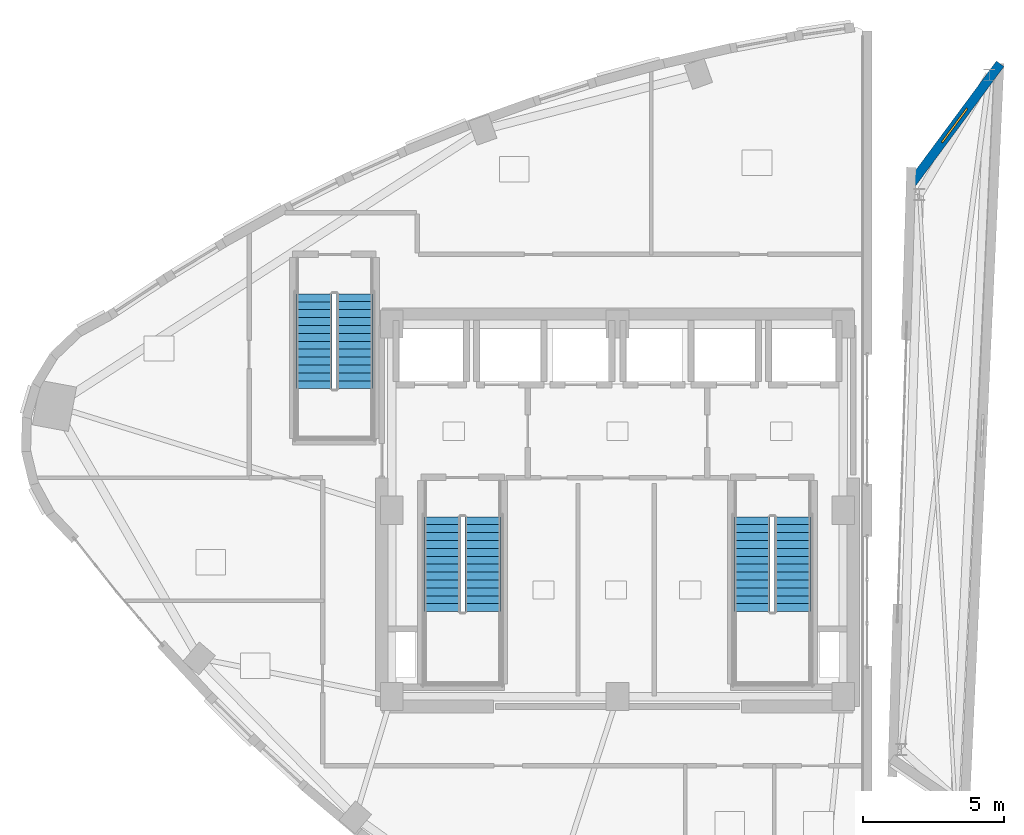
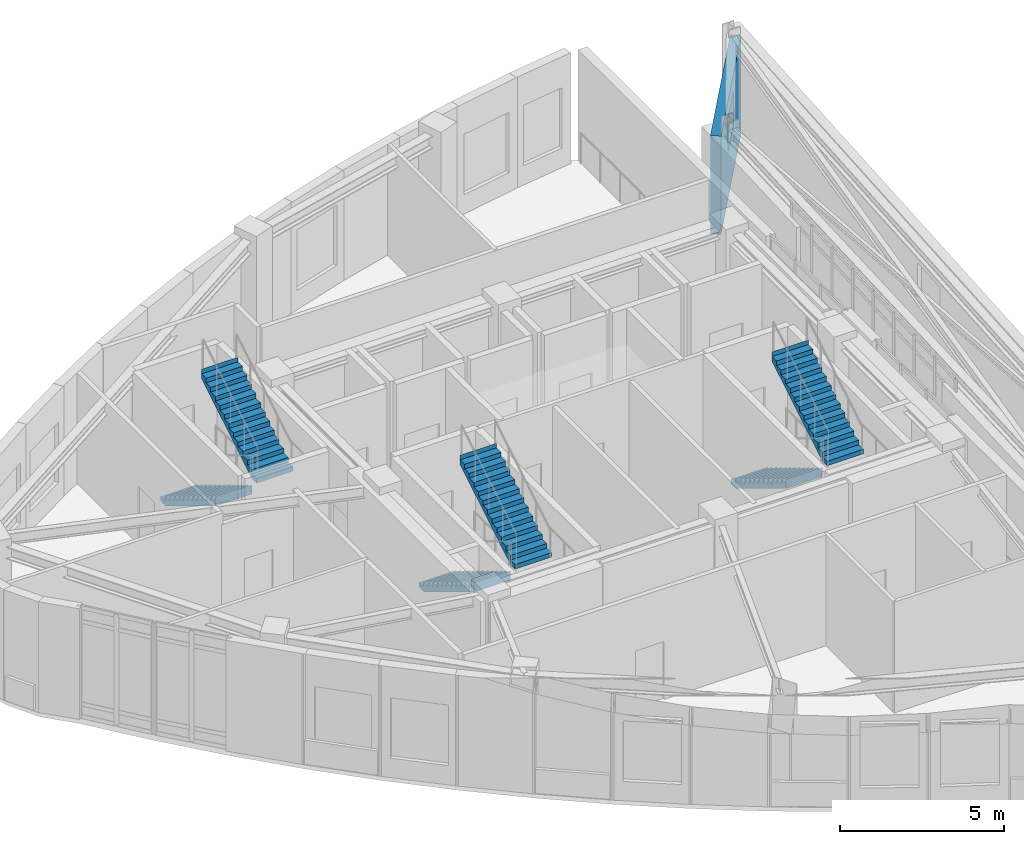
# One storey, part 16 of 19: 6 stair flights, 1 wall, 1 window, 1 opening, 3 elements without a shape of their own.
"""IFC4 building model written with IfcOpenShell, lengths in metres."""

from ifc_helpers import new_model, si_unit, direction, frame, frame_2d, origin, place, context, subcontext, project, spatial, polyline, rectangle, outline, extrude, material, layer, layer_set, type_object, element, fill, aggregate, save


model = new_model("IFC4")

# Units and contexts
model_context = context("Model", 3, precision=1e-05, world=origin(), true_north=direction((0.0, 1.0)))
body_context = subcontext(model_context, "Body", "Model", "MODEL_VIEW")
ifc_project = project(units=[si_unit("LENGTHUNIT", "METRE"), si_unit("AREAUNIT", "SQUARE_METRE"), si_unit("VOLUMEUNIT", "CUBIC_METRE"), si_unit("PLANEANGLEUNIT", "RADIAN"), si_unit("MASSUNIT", "GRAM", prefix="KILO")], contexts=[model_context])

# Site, building, storey
site_placement = place(None, origin())
site = spatial("IfcSite", under=ifc_project, at=site_placement, CompositionType="ELEMENT")
building_placement = place(site_placement, origin())
building = spatial("IfcBuilding", under=site, at=building_placement, Name="Ndelora Gate Hotel", CompositionType="ELEMENT")
storey_placement = place(building_placement, frame((0.0, 0.0, 299.199951171875)))
storey = spatial("IfcBuildingStorey", under=building, at=storey_placement, Name="L74", CompositionType="ELEMENT", Elevation=299.199951171875)

# Wall, opening, window
ifc_material_1 = material(Name="Clay Brick Masonry", Category="masonry")
ifc_layer = layer(ifc_material_1, 0.330078125)
ifc_layer_set = layer_set([ifc_layer], Name="Clay Brick Masonry")
wall_type = type_object("IfcWallType", Name="WL-BRICK-330", PredefinedType="SOLIDWALL", material=ifc_layer_set)
wall_placement = place(storey_placement, frame((10.359375, 11.49658203125, 0.0), z_axis=(0.0, 0.0, 1.0), x_axis=(0.594753293949, 0.803908277938, 0.0)))
wall = element("IfcWall", 1, at=wall_placement, inside=storey, type_object=wall_type, Name="L74 Tower Brick Pier-and-Spandrel Wall EPK-3", PredefinedType="SOLIDWALL", context=body_context, shape_type="SweptSolid", body=[
    extrude(rectangle(XDim=5.381103515625, YDim=0.330078125, at=frame_2d((2.6904296875, 0.0))), origin(), (0.0, 0.0, 1.0), 3.650146484375),
])
opening_placement = place(wall_placement, frame((1.91064453125, 0.0, 1.75)))
opening = element("IfcOpeningElement", 2, at=opening_placement, cuts=wall, Name="Opening W07", PredefinedType="OPENING", context=body_context, shape_type="SweptSolid", body=[
    extrude(rectangle(XDim=1.5, YDim=1.25, at=frame_2d((0.75, 0.625))), frame((0.0, 0.175048828125, 0.0), z_axis=(0.0, -1.0, 0.0), x_axis=(1.0, 0.0, 0.0)), (0.0, 0.0, 1.0), 0.35009765625),
])
ifc_material_2 = material(Name="Insulated Low-E Double Glazing in Bronze Aluminium Frame", Category="aluminium")
window_type = type_object("IfcWindowType", Name="WN-CLER-1500", PartitioningType="SINGLE_PANEL", PredefinedType="LIGHTDOME", material=ifc_material_2)
window_placement = place(opening_placement, origin())
window = element("IfcWindow", 3, at=window_placement, inside=storey, type_object=window_type, Name="L74 East Peak Lantern Clerestory Window W07", OverallHeight=1.25, OverallWidth=1.5, PartitioningType="SINGLE_PANEL", PredefinedType="LIGHTDOME", context=body_context, shape_type="SweptSolid", body=[
    extrude(rectangle(XDim=1.5, YDim=1.25, at=frame_2d((0.75, 0.625))), frame((0.0, 0.030029296875, 0.0), z_axis=(0.0, -1.0, 0.0), x_axis=(1.0, 0.0, 0.0)), (0.0, 0.0, 1.0), 0.06005859375),
])
fill(opening, window)

# Stair, stair flights
ifc_material_3 = material(Name="Precast concrete C40/50", Category="concrete")
stair_type = type_object("IfcStairType", Name="STR-DOG-CORE", PredefinedType="HALF_TURN_STAIR", material=ifc_material_3)
stair_1_placement = place(storey_placement, origin())
stair_1 = element("IfcStair", 4, at=stair_1_placement, inside=storey, type_object=stair_type, Name="L74 Protected Core Exit Stair ST4", PredefinedType="HALF_TURN_STAIR")
stair_flight_type = type_object("IfcStairFlightType", Name="STF-PRECAST", PredefinedType="STRAIGHT", material=ifc_material_3)
stair_flight_1_placement = place(storey_placement, frame((-6.2099609375, -0.22998046875, 0.0), z_axis=(0.0, 0.0, 1.0), x_axis=(0.0, -1.0, 0.0)))
stair_flight_1 = element("IfcStairFlight", 5, at=stair_flight_1_placement, type_object=stair_flight_type, Name="ST4 flight 1", NumberOfRisers=13, NumberOfTreads=12, PredefinedType="STRAIGHT", RiserHeight=0.169230769, TreadLength=0.28, context=body_context, shape_type="SweptSolid", body=[
    extrude(outline(polyline([(-0.00048828125, 0.0), (-0.00048828125, 0.169189453125), (0.0, 0.169189453125), (0.280029296875, 0.169189453125), (0.280029296875, 0.33837890625), (0.56005859375, 0.33837890625), (0.56005859375, 0.5078125), (0.840087890625, 0.5078125), (0.840087890625, 0.677001953125), (1.1201171875, 0.677001953125), (1.1201171875, 0.84619140625), (1.39990234375, 0.84619140625), (1.39990234375, 1.015380859375), (1.679931640625, 1.015380859375), (1.679931640625, 1.1845703125), (1.9599609375, 1.1845703125), (1.9599609375, 1.353759765625), (2.239990234375, 1.353759765625), (2.239990234375, 1.523193359375), (2.52001953125, 1.523193359375), (2.52001953125, 1.6923828125), (2.800048828125, 1.6923828125), (2.800048828125, 1.861572265625), (3.080078125, 1.861572265625), (3.080078125, 2.03076171875), (3.360107421875, 2.03076171875), (3.360107421875, 2.199951171875), (3.360595703125, 2.199951171875), (3.360595703125, 2.02001953125), (3.360107421875, 1.855712890625), (0.289794921875, 0.0), (-0.00048828125, 0.0)])), frame((0.0, 0.64013671875, 0.0), z_axis=(0.0, -1.0, 0.0), x_axis=(1.0, 0.0, 0.0)), (0.0, 0.0, 1.0), 1.280029296875),
])
stair_flight_2_placement = place(storey_placement, frame((-4.77001953125, -3.590087890625, 2.199951171875), z_axis=(0.0, 0.0, 1.0), x_axis=(0.0, 1.0, 0.0)))
stair_flight_2 = element("IfcStairFlight", 6, at=stair_flight_2_placement, type_object=stair_flight_type, Name="ST4 flight 2", NumberOfRisers=13, NumberOfTreads=12, PredefinedType="STRAIGHT", RiserHeight=0.169230769, TreadLength=0.28, context=body_context, shape_type="SweptSolid", body=[
    extrude(outline(polyline([(-0.00048828125, 0.0), (-0.00048828125, 0.169189453125), (0.0, 0.169189453125), (0.280029296875, 0.169189453125), (0.280029296875, 0.33837890625), (0.56005859375, 0.33837890625), (0.56005859375, 0.5078125), (0.840087890625, 0.5078125), (0.840087890625, 0.677001953125), (1.1201171875, 0.677001953125), (1.1201171875, 0.84619140625), (1.39990234375, 0.84619140625), (1.39990234375, 1.015380859375), (1.679931640625, 1.015380859375), (1.679931640625, 1.1845703125), (1.9599609375, 1.1845703125), (1.9599609375, 1.353759765625), (2.239990234375, 1.353759765625), (2.239990234375, 1.523193359375), (2.52001953125, 1.523193359375), (2.52001953125, 1.6923828125), (2.800048828125, 1.6923828125), (2.800048828125, 1.861572265625), (3.080078125, 1.861572265625), (3.080078125, 2.03076171875), (3.360107421875, 2.03076171875), (3.360107421875, 2.199951171875), (3.360595703125, 2.199951171875), (3.360595703125, 2.02001953125), (3.360107421875, 1.855712890625), (0.289794921875, 0.0), (-0.00048828125, 0.0)])), frame((0.0, 0.64013671875, 0.0), z_axis=(0.0, -1.0, 0.0), x_axis=(1.0, 0.0, 0.0)), (0.0, 0.0, 1.0), 1.280029296875),
])
aggregate(stair_1, [stair_flight_1, stair_flight_2])

stair_2_placement = place(storey_placement, origin())
stair_2 = element("IfcStair", 7, at=stair_2_placement, inside=storey, type_object=stair_type, Name="L74 Protected Core Exit Stair ST5", PredefinedType="HALF_TURN_STAIR")
stair_flight_3_placement = place(storey_placement, frame((4.77001953125, -0.22998046875, 0.0), z_axis=(0.0, 0.0, 1.0), x_axis=(0.0, -1.0, 0.0)))
stair_flight_3 = element("IfcStairFlight", 8, at=stair_flight_3_placement, type_object=stair_flight_type, Name="ST5 flight 1", NumberOfRisers=13, NumberOfTreads=12, PredefinedType="STRAIGHT", RiserHeight=0.169230769, TreadLength=0.28, context=body_context, shape_type="SweptSolid", body=[
    extrude(outline(polyline([(-0.00048828125, 0.0), (-0.00048828125, 0.169189453125), (0.0, 0.169189453125), (0.280029296875, 0.169189453125), (0.280029296875, 0.33837890625), (0.56005859375, 0.33837890625), (0.56005859375, 0.5078125), (0.840087890625, 0.5078125), (0.840087890625, 0.677001953125), (1.1201171875, 0.677001953125), (1.1201171875, 0.84619140625), (1.39990234375, 0.84619140625), (1.39990234375, 1.015380859375), (1.679931640625, 1.015380859375), (1.679931640625, 1.1845703125), (1.9599609375, 1.1845703125), (1.9599609375, 1.353759765625), (2.239990234375, 1.353759765625), (2.239990234375, 1.523193359375), (2.52001953125, 1.523193359375), (2.52001953125, 1.6923828125), (2.800048828125, 1.6923828125), (2.800048828125, 1.861572265625), (3.080078125, 1.861572265625), (3.080078125, 2.03076171875), (3.360107421875, 2.03076171875), (3.360107421875, 2.199951171875), (3.360595703125, 2.199951171875), (3.360595703125, 2.02001953125), (3.360107421875, 1.855712890625), (0.289794921875, 0.0), (-0.00048828125, 0.0)])), frame((0.0, 0.64013671875, 0.0), z_axis=(0.0, -1.0, 0.0), x_axis=(1.0, 0.0, 0.0)), (0.0, 0.0, 1.0), 1.280029296875),
])
stair_flight_4_placement = place(storey_placement, frame((6.2099609375, -3.590087890625, 2.199951171875), z_axis=(0.0, 0.0, 1.0), x_axis=(0.0, 1.0, 0.0)))
stair_flight_4 = element("IfcStairFlight", 9, at=stair_flight_4_placement, type_object=stair_flight_type, Name="ST5 flight 2", NumberOfRisers=13, NumberOfTreads=12, PredefinedType="STRAIGHT", RiserHeight=0.169230769, TreadLength=0.28, context=body_context, shape_type="SweptSolid", body=[
    extrude(outline(polyline([(-0.00048828125, 0.0), (-0.00048828125, 0.169189453125), (0.0, 0.169189453125), (0.280029296875, 0.169189453125), (0.280029296875, 0.33837890625), (0.56005859375, 0.33837890625), (0.56005859375, 0.5078125), (0.840087890625, 0.5078125), (0.840087890625, 0.677001953125), (1.1201171875, 0.677001953125), (1.1201171875, 0.84619140625), (1.39990234375, 0.84619140625), (1.39990234375, 1.015380859375), (1.679931640625, 1.015380859375), (1.679931640625, 1.1845703125), (1.9599609375, 1.1845703125), (1.9599609375, 1.353759765625), (2.239990234375, 1.353759765625), (2.239990234375, 1.523193359375), (2.52001953125, 1.523193359375), (2.52001953125, 1.6923828125), (2.800048828125, 1.6923828125), (2.800048828125, 1.861572265625), (3.080078125, 1.861572265625), (3.080078125, 2.03076171875), (3.360107421875, 2.03076171875), (3.360107421875, 2.199951171875), (3.360595703125, 2.199951171875), (3.360595703125, 2.02001953125), (3.360107421875, 1.855712890625), (0.289794921875, 0.0), (-0.00048828125, 0.0)])), frame((0.0, 0.64013671875, 0.0), z_axis=(0.0, -1.0, 0.0), x_axis=(1.0, 0.0, 0.0)), (0.0, 0.0, 1.0), 1.280029296875),
])
aggregate(stair_2, [stair_flight_3, stair_flight_4])

stair_3_placement = place(storey_placement, origin())
stair_3 = element("IfcStair", 10, at=stair_3_placement, inside=storey, type_object=stair_type, Name="L74 Crown Observation Exit Stair ST6", PredefinedType="HALF_TURN_STAIR")
stair_flight_5_placement = place(storey_placement, frame((-10.75, 7.669921875, 0.0), z_axis=(0.0, 0.0, 1.0), x_axis=(0.0, -1.0, 0.0)))
stair_flight_5 = element("IfcStairFlight", 11, at=stair_flight_5_placement, type_object=stair_flight_type, Name="ST6 flight 1", NumberOfRisers=13, NumberOfTreads=12, PredefinedType="STRAIGHT", RiserHeight=0.169230769, TreadLength=0.28, context=body_context, shape_type="SweptSolid", body=[
    extrude(outline(polyline([(-0.00048828125, 0.0), (-0.00048828125, 0.169189453125), (0.0, 0.169189453125), (0.280029296875, 0.169189453125), (0.280029296875, 0.33837890625), (0.56005859375, 0.33837890625), (0.56005859375, 0.5078125), (0.840087890625, 0.5078125), (0.840087890625, 0.677001953125), (1.1201171875, 0.677001953125), (1.1201171875, 0.84619140625), (1.39990234375, 0.84619140625), (1.39990234375, 1.015380859375), (1.679931640625, 1.015380859375), (1.679931640625, 1.1845703125), (1.9599609375, 1.1845703125), (1.9599609375, 1.353759765625), (2.239990234375, 1.353759765625), (2.239990234375, 1.523193359375), (2.52001953125, 1.523193359375), (2.52001953125, 1.6923828125), (2.800048828125, 1.6923828125), (2.800048828125, 1.861572265625), (3.080078125, 1.861572265625), (3.080078125, 2.03076171875), (3.360107421875, 2.03076171875), (3.360107421875, 2.199951171875), (3.360595703125, 2.199951171875), (3.360595703125, 2.02001953125), (3.360107421875, 1.855712890625), (0.289794921875, 0.0), (-0.00048828125, 0.0)])), frame((0.0, 0.64013671875, 0.0), z_axis=(0.0, -1.0, 0.0), x_axis=(1.0, 0.0, 0.0)), (0.0, 0.0, 1.0), 1.280029296875),
])
stair_flight_6_placement = place(storey_placement, frame((-9.31005859375, 4.31005859375, 2.199951171875), z_axis=(0.0, 0.0, 1.0), x_axis=(0.0, 1.0, 0.0)))
stair_flight_6 = element("IfcStairFlight", 12, at=stair_flight_6_placement, type_object=stair_flight_type, Name="ST6 flight 2", NumberOfRisers=13, NumberOfTreads=12, PredefinedType="STRAIGHT", RiserHeight=0.169230769, TreadLength=0.28, context=body_context, shape_type="SweptSolid", body=[
    extrude(outline(polyline([(-0.00048828125, 0.0), (-0.00048828125, 0.169189453125), (0.0, 0.169189453125), (0.280029296875, 0.169189453125), (0.280029296875, 0.33837890625), (0.56005859375, 0.33837890625), (0.56005859375, 0.5078125), (0.840087890625, 0.5078125), (0.840087890625, 0.677001953125), (1.1201171875, 0.677001953125), (1.1201171875, 0.84619140625), (1.39990234375, 0.84619140625), (1.39990234375, 1.015380859375), (1.679931640625, 1.015380859375), (1.679931640625, 1.1845703125), (1.9599609375, 1.1845703125), (1.9599609375, 1.353759765625), (2.239990234375, 1.353759765625), (2.239990234375, 1.523193359375), (2.52001953125, 1.523193359375), (2.52001953125, 1.6923828125), (2.800048828125, 1.6923828125), (2.800048828125, 1.861572265625), (3.080078125, 1.861572265625), (3.080078125, 2.03076171875), (3.360107421875, 2.03076171875), (3.360107421875, 2.199951171875), (3.360595703125, 2.199951171875), (3.360595703125, 2.02001953125), (3.360107421875, 1.855712890625), (0.289794921875, 0.0), (-0.00048828125, 0.0)])), frame((0.0, 0.64013671875, 0.0), z_axis=(0.0, -1.0, 0.0), x_axis=(1.0, 0.0, 0.0)), (0.0, 0.0, 1.0), 1.280029296875),
])
aggregate(stair_3, [stair_flight_5, stair_flight_6])

save(model, "model.ifc")
